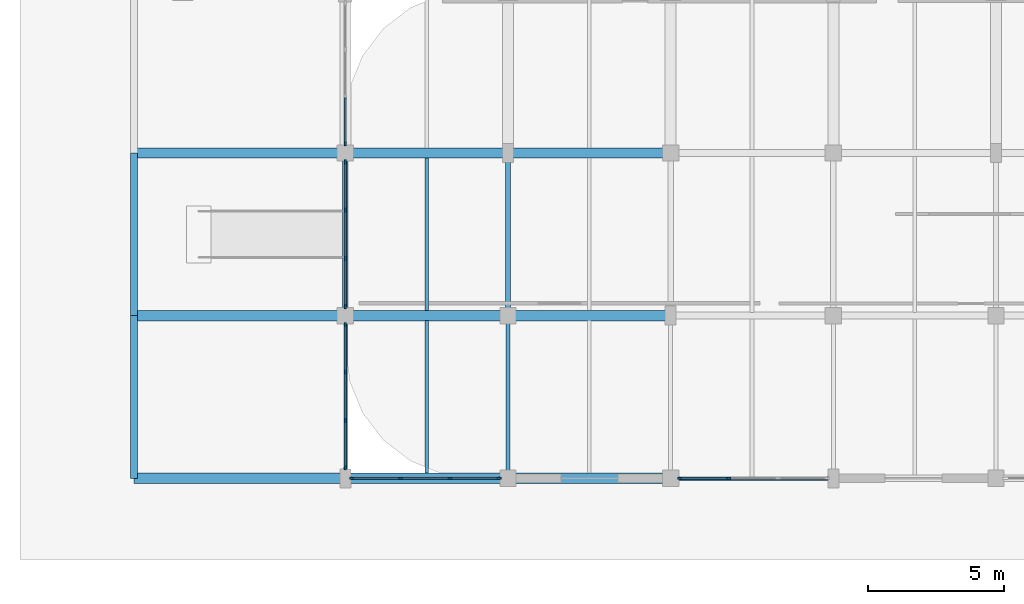
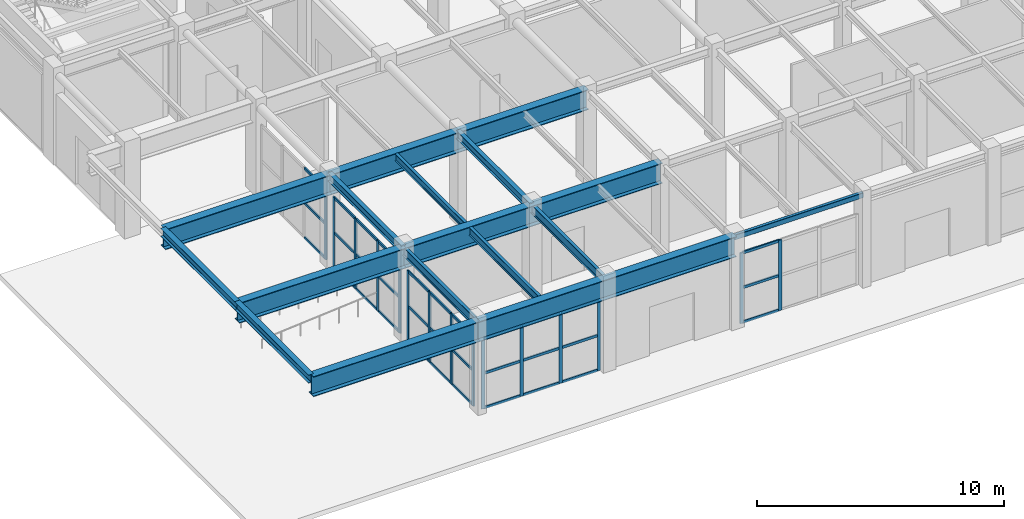
# One storey, part 3 of 76: 48 members, 15 beams, 5 elements without a shape of their own.
"""IFC4 building model written with IfcOpenShell, lengths in metres."""

from ifc_helpers import new_model, si_unit, direction, frame, origin, origin_2d, place, context, subcontext, project, spatial, rectangle, hollow_rectangle, i_section, extrude, material, material_profile, profile_set, type_object, element, aggregate, save


model = new_model("IFC4")

# Units and contexts
model_context = context("Model", 3, precision=1e-05, world=origin(), true_north=direction((0.0, 1.0)))
body_context = subcontext(model_context, "Body", "Model", "MODEL_VIEW")
ifc_project = project(units=[si_unit("LENGTHUNIT", "METRE"), si_unit("AREAUNIT", "SQUARE_METRE"), si_unit("VOLUMEUNIT", "CUBIC_METRE"), si_unit("PLANEANGLEUNIT", "RADIAN"), si_unit("MASSUNIT", "GRAM", prefix="KILO")], contexts=[model_context])

# Site, building, storey
site_placement = place(None, origin())
site = spatial("IfcSite", under=ifc_project, at=site_placement, CompositionType="ELEMENT")
building_placement = place(site_placement, origin())
building = spatial("IfcBuilding", under=site, at=building_placement, Name="Varnakota Square Police Headquarters", CompositionType="ELEMENT")
storey_placement = place(building_placement, origin())
storey = spatial("IfcBuildingStorey", under=building, at=storey_placement, Name="L00", CompositionType="ELEMENT", Elevation=0.0)

# Beams
ifc_material_1 = material(Name="Steel IS 2062 Grade 350", Category="steel")
ifc_material_profile_1 = material_profile(ifc_material_1, i_section(OverallWidth=0.3798828125, OverallDepth=1.0, WebThickness=0.02001953125, FlangeThickness=0.031982421875, at=origin_2d()), Name="BPG 1000x380")
ifc_profile_set_1 = profile_set([ifc_material_profile_1], Name="Steel IS 2062 Grade 350")
beam_type_1 = type_object("IfcBeamType", Name="BM-BPG1000", PredefinedType="BEAM", material=ifc_profile_set_1)
beam_1_placement = place(storey_placement, frame((4.199951171875, 3.0, 4.0), z_axis=(1.0, 0.0, 0.0), x_axis=(0.0, 1.0, 0.0)))
element("IfcBeam", 1, at=beam_1_placement, inside=storey, type_object=beam_type_1, Name="Cantilever projection girder L00 Y=3", PredefinedType="BEAM", context=body_context, shape_type="SweptSolid", body=[
    extrude(i_section(OverallWidth=0.3798828125, OverallDepth=1.0, WebThickness=0.02001953125, FlangeThickness=0.031982421875, at=origin_2d()), origin(), (0.0, 0.0, 1.0), 7.800048828125),
])
beam_2_placement = place(storey_placement, frame((12.0, 3.0, 4.0), z_axis=(1.0, 0.0, 0.0), x_axis=(0.0, 1.0, 0.0)))
element("IfcBeam", 2, at=beam_2_placement, inside=storey, type_object=beam_type_1, Name="Cantilever back-span girder L00 Y=3", PredefinedType="BEAM", context=body_context, shape_type="SweptSolid", body=[
    extrude(i_section(OverallWidth=0.3798828125, OverallDepth=1.0, WebThickness=0.02001953125, FlangeThickness=0.031982421875, at=origin_2d()), origin(), (0.0, 0.0, 1.0), 12.0),
])
beam_3_placement = place(storey_placement, frame((4.199951171875, 9.0, 4.0), z_axis=(1.0, 0.0, 0.0), x_axis=(0.0, 1.0, 0.0)))
element("IfcBeam", 3, at=beam_3_placement, inside=storey, type_object=beam_type_1, Name="Cantilever projection girder L00 Y=9", PredefinedType="BEAM", context=body_context, shape_type="SweptSolid", body=[
    extrude(i_section(OverallWidth=0.3798828125, OverallDepth=1.0, WebThickness=0.02001953125, FlangeThickness=0.031982421875, at=origin_2d()), origin(), (0.0, 0.0, 1.0), 7.800048828125),
])
beam_4_placement = place(storey_placement, frame((12.0, 9.0, 4.0), z_axis=(1.0, 0.0, 0.0), x_axis=(0.0, 1.0, 0.0)))
element("IfcBeam", 4, at=beam_4_placement, inside=storey, type_object=beam_type_1, Name="Cantilever back-span girder L00 Y=9", PredefinedType="BEAM", context=body_context, shape_type="SweptSolid", body=[
    extrude(i_section(OverallWidth=0.3798828125, OverallDepth=1.0, WebThickness=0.02001953125, FlangeThickness=0.031982421875, at=origin_2d()), origin(), (0.0, 0.0, 1.0), 12.0),
])
beam_5_placement = place(storey_placement, frame((4.199951171875, 15.0, 4.0), z_axis=(1.0, 0.0, 0.0), x_axis=(0.0, 1.0, 0.0)))
element("IfcBeam", 5, at=beam_5_placement, inside=storey, type_object=beam_type_1, Name="Cantilever projection girder L00 Y=15", PredefinedType="BEAM", context=body_context, shape_type="SweptSolid", body=[
    extrude(i_section(OverallWidth=0.3798828125, OverallDepth=1.0, WebThickness=0.02001953125, FlangeThickness=0.031982421875, at=origin_2d()), origin(), (0.0, 0.0, 1.0), 7.800048828125),
])
beam_6_placement = place(storey_placement, frame((12.0, 15.0, 4.0), z_axis=(1.0, 0.0, 0.0), x_axis=(0.0, 1.0, 0.0)))
element("IfcBeam", 6, at=beam_6_placement, inside=storey, type_object=beam_type_1, Name="Cantilever back-span girder L00 Y=15", PredefinedType="BEAM", context=body_context, shape_type="SweptSolid", body=[
    extrude(i_section(OverallWidth=0.3798828125, OverallDepth=1.0, WebThickness=0.02001953125, FlangeThickness=0.031982421875, at=origin_2d()), origin(), (0.0, 0.0, 1.0), 12.0),
])
ifc_material_profile_2 = material_profile(ifc_material_1, hollow_rectangle(XDim=0.14990234375, YDim=0.25, WallThickness=0.010009765625, InnerFilletRadius=0.010009765625, OuterFilletRadius=0.02001953125, at=origin_2d()), Name="RHS 250x150x10")
ifc_profile_set_2 = profile_set([ifc_material_profile_2], Name="Steel IS 2062 Grade 350")
beam_type_2 = type_object("IfcBeamType", Name="BM-CBEAM-RHS250", PredefinedType="BEAM", material=ifc_profile_set_2)
beam_7_placement = place(storey_placement, frame((24.0, 3.0, 4.375), z_axis=(1.0, 0.0, 0.0), x_axis=(0.0, 1.0, 0.0)))
element("IfcBeam", 7, at=beam_7_placement, inside=storey, type_object=beam_type_2, Name="BMG-L00-0693", PredefinedType="BEAM", context=body_context, shape_type="SweptSolid", body=[
    extrude(hollow_rectangle(XDim=0.14990234375, YDim=0.25, WallThickness=0.010009765625, InnerFilletRadius=0.010009765625, OuterFilletRadius=0.02001953125, at=origin_2d()), origin(), (0.0, 0.0, 1.0), 6.0),
])
ifc_material_profile_3 = material_profile(ifc_material_1, i_section(OverallWidth=0.25, OverallDepth=0.39990234375, WebThickness=0.010498046875, FlangeThickness=0.0126953125, FilletRadius=0.013916015625, at=origin_2d()), Name="ISHB 400")
ifc_profile_set_3 = profile_set([ifc_material_profile_3], Name="Steel IS 2062 Grade 350")
beam_type_3 = type_object("IfcBeamType", Name="BM-ISHB400", PredefinedType="BEAM", material=ifc_profile_set_3)
for number, where, z_axis, x_axis, name in (
    (8, (4.199951171875, 3.0, 4.300048828125), (0.0, 1.0, 0.0), (-1.0, 0.0, 0.0), "Cantilever tip edge beam L00"),
    (9, (4.199951171875, 9.0, 4.300048828125), (0.0, 1.0, 0.0), (-1.0, 0.0, 0.0), "Cantilever tip edge beam L00"),
):
    element("IfcBeam", number, at=place(storey_placement, frame(where, z_axis=z_axis, x_axis=x_axis)), inside=storey, type_object=beam_type_3, Name=name, PredefinedType="BEAM", context=body_context, shape_type="SweptSolid", body=[
        extrude(i_section(OverallWidth=0.25, OverallDepth=0.39990234375, WebThickness=0.010498046875, FlangeThickness=0.0126953125, FilletRadius=0.013916015625, at=origin_2d()), origin(), (0.0, 0.0, 1.0), 6.0),
    ])
ifc_material_profile_4 = material_profile(ifc_material_1, i_section(OverallWidth=0.139892578125, OverallDepth=0.35009765625, WebThickness=0.008056640625, FlangeThickness=0.01416015625, FilletRadius=0.013916015625, at=origin_2d()), Name="ISMB 350")
ifc_profile_set_4 = profile_set([ifc_material_profile_4], Name="Steel IS 2062 Grade 350")
beam_type_4 = type_object("IfcBeamType", Name="BM-ISMB350", PredefinedType="JOIST", material=ifc_profile_set_4)
beam_8_placement = place(storey_placement, frame((15.0, 9.18798828125, 4.324951171875), z_axis=(0.0, 1.0, 0.0), x_axis=(-1.0, 0.0, 0.0)))
element("IfcBeam", 10, at=beam_8_placement, inside=storey, type_object=beam_type_4, Name="BMG-L00-1188", PredefinedType="JOIST", context=body_context, shape_type="SweptSolid", body=[
    extrude(i_section(OverallWidth=0.139892578125, OverallDepth=0.35009765625, WebThickness=0.008056640625, FlangeThickness=0.01416015625, FilletRadius=0.013916015625, at=origin_2d()), origin(), (0.0, 0.0, 1.0), 5.6240234375),
])
ifc_material_profile_5 = material_profile(ifc_material_1, i_section(OverallWidth=0.139892578125, OverallDepth=0.39990234375, WebThickness=0.0087890625, FlangeThickness=0.01611328125, FilletRadius=0.013916015625, at=origin_2d()), Name="ISMB 400")
ifc_profile_set_5 = profile_set([ifc_material_profile_5], Name="Steel IS 2062 Grade 350")
beam_type_5 = type_object("IfcBeamType", Name="BM-ISMB400", PredefinedType="JOIST", material=ifc_profile_set_5)
beam_9_placement = place(storey_placement, frame((15.0, 3.18798828125, 4.300048828125), z_axis=(0.0, 1.0, 0.0), x_axis=(-1.0, 0.0, 0.0)))
element("IfcBeam", 11, at=beam_9_placement, inside=storey, type_object=beam_type_5, Name="BMG-L00-1187", PredefinedType="JOIST", context=body_context, shape_type="SweptSolid", body=[
    extrude(i_section(OverallWidth=0.139892578125, OverallDepth=0.39990234375, WebThickness=0.0087890625, FlangeThickness=0.01611328125, FilletRadius=0.013916015625, at=origin_2d()), origin(), (0.0, 0.0, 1.0), 5.6240234375),
])
ifc_material_profile_6 = material_profile(ifc_material_1, i_section(OverallWidth=0.14990234375, OverallDepth=0.449951171875, WebThickness=0.009521484375, FlangeThickness=0.017333984375, FilletRadius=0.014892578125, at=origin_2d()), Name="ISMB 450")
ifc_profile_set_6 = profile_set([ifc_material_profile_6], Name="Steel IS 2062 Grade 350")
beam_type_6 = type_object("IfcBeamType", Name="BM-ISMB450", PredefinedType="BEAM", material=ifc_profile_set_6)
for number, where, z_axis, x_axis, name in (
    (12, (12.0, 3.0, 4.27490234375), (0.0, 1.0, 0.0), (-1.0, 0.0, 0.0), "BMG-L00-0948"),
    (13, (18.0, 3.0, 4.27490234375), (0.0, 1.0, 0.0), (-1.0, 0.0, 0.0), "BMG-L00-0962"),
):
    element("IfcBeam", number, at=place(storey_placement, frame(where, z_axis=z_axis, x_axis=x_axis)), inside=storey, type_object=beam_type_6, Name=name, PredefinedType="BEAM", context=body_context, shape_type="SweptSolid", body=[
        extrude(i_section(OverallWidth=0.14990234375, OverallDepth=0.449951171875, WebThickness=0.009521484375, FlangeThickness=0.017333984375, FilletRadius=0.014892578125, at=origin_2d()), origin(), (0.0, 0.0, 1.0), 6.0),
    ])
ifc_material_profile_7 = material_profile(ifc_material_1, i_section(OverallWidth=0.199951171875, OverallDepth=0.39990234375, WebThickness=0.008544921875, FlangeThickness=0.012939453125, FilletRadius=0.012939453125, at=origin_2d()), Name="ISWB 400")
ifc_profile_set_7 = profile_set([ifc_material_profile_7], Name="Steel IS 2062 Grade 350")
beam_type_7 = type_object("IfcBeamType", Name="BM-ISWB400", PredefinedType="BEAM", material=ifc_profile_set_7)
for number, where, z_axis, x_axis, name in (
    (14, (12.0, 9.0, 4.300048828125), (0.0, 1.0, 0.0), (-1.0, 0.0, 0.0), "BMG-L00-0949"),
    (15, (18.0, 9.0, 4.300048828125), (0.0, 1.0, 0.0), (-1.0, 0.0, 0.0), "BMG-L00-0963"),
):
    element("IfcBeam", number, at=place(storey_placement, frame(where, z_axis=z_axis, x_axis=x_axis)), inside=storey, type_object=beam_type_7, Name=name, PredefinedType="BEAM", context=body_context, shape_type="SweptSolid", body=[
        extrude(i_section(OverallWidth=0.199951171875, OverallDepth=0.39990234375, WebThickness=0.008544921875, FlangeThickness=0.012939453125, FilletRadius=0.012939453125, at=origin_2d()), origin(), (0.0, 0.0, 1.0), 6.0),
    ])

# Curtain wall, members
ifc_material_2 = material(Name="Anodised Aluminium Framing", Category="aluminium")
curtain_wall_type = type_object("IfcCurtainWallType", Name="CW-SYS-A", PredefinedType="NOTDEFINED", material=ifc_material_2)
curtain_wall_1_placement = place(storey_placement, origin())
curtain_wall_1 = element("IfcCurtainWall", 16, at=curtain_wall_1_placement, inside=storey, type_object=curtain_wall_type, Name="Unitised curtain wall CWG-L00-035", PredefinedType="NOTDEFINED")
ifc_material_3 = material(Name="Anodised Aluminium 6063-T6", Category="aluminium")
ifc_material_profile_8 = material_profile(ifc_material_3, rectangle(XDim=0.06494140625, YDim=0.159912109375, at=origin_2d()), Name="ALU MULLION 65x160")
ifc_profile_set_8 = profile_set([ifc_material_profile_8], Name="Anodised Aluminium 6063-T6")
member_type_1 = type_object("IfcMemberType", Name="CWM-150", PredefinedType="MULLION", material=ifc_profile_set_8)
member_1_placement = place(storey_placement, frame((12.237548828125, 3.0, 0.0), z_axis=(0.0, 0.0, 1.0), x_axis=(0.0, 1.0, 0.0)))
member_1 = element("IfcMember", 17, at=member_1_placement, type_object=member_type_1, Name="CWG-L00-035 mullion 1", PredefinedType="MULLION", context=body_context, shape_type="SweptSolid", body=[
    extrude(rectangle(XDim=0.06494140625, YDim=0.159912109375, at=origin_2d()), origin(), (0.0, 0.0, 1.0), 3.489990234375),
])
member_2_placement = place(storey_placement, frame((14.034912109375, 3.0, 0.0), z_axis=(0.0, 0.0, 1.0), x_axis=(0.0, 1.0, 0.0)))
member_2 = element("IfcMember", 18, at=member_2_placement, type_object=member_type_1, Name="CWG-L00-035 mullion 2", PredefinedType="MULLION", context=body_context, shape_type="SweptSolid", body=[
    extrude(rectangle(XDim=0.06494140625, YDim=0.159912109375, at=origin_2d()), origin(), (0.0, 0.0, 1.0), 3.489990234375),
])
member_3_placement = place(storey_placement, frame((15.864990234375, 3.0, 0.0), z_axis=(0.0, 0.0, 1.0), x_axis=(0.0, 1.0, 0.0)))
member_3 = element("IfcMember", 19, at=member_3_placement, type_object=member_type_1, Name="CWG-L00-035 mullion 3", PredefinedType="MULLION", context=body_context, shape_type="SweptSolid", body=[
    extrude(rectangle(XDim=0.06494140625, YDim=0.159912109375, at=origin_2d()), origin(), (0.0, 0.0, 1.0), 3.489990234375),
])
member_4_placement = place(storey_placement, frame((17.66259765625, 3.0, 0.0), z_axis=(0.0, 0.0, 1.0), x_axis=(0.0, 1.0, 0.0)))
member_4 = element("IfcMember", 20, at=member_4_placement, type_object=member_type_1, Name="CWG-L00-035 mullion 4", PredefinedType="MULLION", context=body_context, shape_type="SweptSolid", body=[
    extrude(rectangle(XDim=0.06494140625, YDim=0.159912109375, at=origin_2d()), origin(), (0.0, 0.0, 1.0), 3.489990234375),
])

curtain_wall_2_placement = place(storey_placement, origin())
curtain_wall_2 = element("IfcCurtainWall", 21, at=curtain_wall_2_placement, inside=storey, type_object=curtain_wall_type, Name="Unitised curtain wall CWG-L00-036", PredefinedType="NOTDEFINED")
member_5_placement = place(storey_placement, frame((24.33740234375, 3.0, 0.0), z_axis=(0.0, 0.0, 1.0), x_axis=(0.0, 1.0, 0.0)))
member_5 = element("IfcMember", 22, at=member_5_placement, type_object=member_type_1, Name="CWG-L00-036 mullion 1", PredefinedType="MULLION", context=body_context, shape_type="SweptSolid", body=[
    extrude(rectangle(XDim=0.06494140625, YDim=0.159912109375, at=origin_2d()), origin(), (0.0, 0.0, 1.0), 3.489990234375),
])
member_6_placement = place(storey_placement, frame((26.135009765625, 3.0, 0.0), z_axis=(0.0, 0.0, 1.0), x_axis=(0.0, 1.0, 0.0)))
member_6 = element("IfcMember", 23, at=member_6_placement, type_object=member_type_1, Name="CWG-L00-036 mullion 2", PredefinedType="MULLION", context=body_context, shape_type="SweptSolid", body=[
    extrude(rectangle(XDim=0.06494140625, YDim=0.159912109375, at=origin_2d()), origin(), (0.0, 0.0, 1.0), 3.489990234375),
])

curtain_wall_3_placement = place(storey_placement, origin())
curtain_wall_3 = element("IfcCurtainWall", 24, at=curtain_wall_3_placement, inside=storey, type_object=curtain_wall_type, Name="Unitised curtain wall CWG-L00-039", PredefinedType="NOTDEFINED")
member_7_placement = place(storey_placement, frame((12.0, 3.387451171875, 0.0), z_axis=(0.0, 0.0, 1.0), x_axis=(-1.0, 0.0, 0.0)))
member_7 = element("IfcMember", 25, at=member_7_placement, type_object=member_type_1, Name="CWG-L00-039 mullion 1", PredefinedType="MULLION", context=body_context, shape_type="SweptSolid", body=[
    extrude(rectangle(XDim=0.06494140625, YDim=0.159912109375, at=origin_2d()), origin(), (0.0, 0.0, 1.0), 3.489990234375),
])
member_8_placement = place(storey_placement, frame((12.0, 5.135009765625, 0.0), z_axis=(0.0, 0.0, 1.0), x_axis=(-1.0, 0.0, 0.0)))
member_8 = element("IfcMember", 26, at=member_8_placement, type_object=member_type_1, Name="CWG-L00-039 mullion 2", PredefinedType="MULLION", context=body_context, shape_type="SweptSolid", body=[
    extrude(rectangle(XDim=0.06494140625, YDim=0.159912109375, at=origin_2d()), origin(), (0.0, 0.0, 1.0), 3.489990234375),
])
member_9_placement = place(storey_placement, frame((12.0, 6.9150390625, 0.0), z_axis=(0.0, 0.0, 1.0), x_axis=(-1.0, 0.0, 0.0)))
member_9 = element("IfcMember", 27, at=member_9_placement, type_object=member_type_1, Name="CWG-L00-039 mullion 3", PredefinedType="MULLION", context=body_context, shape_type="SweptSolid", body=[
    extrude(rectangle(XDim=0.06494140625, YDim=0.159912109375, at=origin_2d()), origin(), (0.0, 0.0, 1.0), 3.489990234375),
])
member_10_placement = place(storey_placement, frame((12.0, 8.66259765625, 0.0), z_axis=(0.0, 0.0, 1.0), x_axis=(-1.0, 0.0, 0.0)))
member_10 = element("IfcMember", 28, at=member_10_placement, type_object=member_type_1, Name="CWG-L00-039 mullion 4", PredefinedType="MULLION", context=body_context, shape_type="SweptSolid", body=[
    extrude(rectangle(XDim=0.06494140625, YDim=0.159912109375, at=origin_2d()), origin(), (0.0, 0.0, 1.0), 3.489990234375),
])

curtain_wall_4_placement = place(storey_placement, origin())
curtain_wall_4 = element("IfcCurtainWall", 29, at=curtain_wall_4_placement, inside=storey, type_object=curtain_wall_type, Name="Unitised curtain wall CWG-L00-040", PredefinedType="NOTDEFINED")
member_11_placement = place(storey_placement, frame((12.0, 9.33740234375, 0.0), z_axis=(0.0, 0.0, 1.0), x_axis=(-1.0, 0.0, 0.0)))
member_11 = element("IfcMember", 30, at=member_11_placement, type_object=member_type_1, Name="CWG-L00-040 mullion 1", PredefinedType="MULLION", context=body_context, shape_type="SweptSolid", body=[
    extrude(rectangle(XDim=0.06494140625, YDim=0.159912109375, at=origin_2d()), origin(), (0.0, 0.0, 1.0), 3.489990234375),
])
member_12_placement = place(storey_placement, frame((12.0, 11.1015625, 0.0), z_axis=(0.0, 0.0, 1.0), x_axis=(-1.0, 0.0, 0.0)))
member_12 = element("IfcMember", 31, at=member_12_placement, type_object=member_type_1, Name="CWG-L00-040 mullion 2", PredefinedType="MULLION", context=body_context, shape_type="SweptSolid", body=[
    extrude(rectangle(XDim=0.06494140625, YDim=0.159912109375, at=origin_2d()), origin(), (0.0, 0.0, 1.0), 3.489990234375),
])
member_13_placement = place(storey_placement, frame((12.0, 12.8984375, 0.0), z_axis=(0.0, 0.0, 1.0), x_axis=(-1.0, 0.0, 0.0)))
member_13 = element("IfcMember", 32, at=member_13_placement, type_object=member_type_1, Name="CWG-L00-040 mullion 3", PredefinedType="MULLION", context=body_context, shape_type="SweptSolid", body=[
    extrude(rectangle(XDim=0.06494140625, YDim=0.159912109375, at=origin_2d()), origin(), (0.0, 0.0, 1.0), 3.489990234375),
])
member_14_placement = place(storey_placement, frame((12.0, 14.66259765625, 0.0), z_axis=(0.0, 0.0, 1.0), x_axis=(-1.0, 0.0, 0.0)))
member_14 = element("IfcMember", 33, at=member_14_placement, type_object=member_type_1, Name="CWG-L00-040 mullion 4", PredefinedType="MULLION", context=body_context, shape_type="SweptSolid", body=[
    extrude(rectangle(XDim=0.06494140625, YDim=0.159912109375, at=origin_2d()), origin(), (0.0, 0.0, 1.0), 3.489990234375),
])

# Curtain wall, member
curtain_wall_5_placement = place(storey_placement, origin())
curtain_wall_5 = element("IfcCurtainWall", 34, at=curtain_wall_5_placement, inside=storey, type_object=curtain_wall_type, Name="Unitised curtain wall CWG-L00-041", PredefinedType="NOTDEFINED")
member_15_placement = place(storey_placement, frame((12.0, 15.33740234375, 0.0), z_axis=(0.0, 0.0, 1.0), x_axis=(-1.0, 0.0, 0.0)))
member_15 = element("IfcMember", 35, at=member_15_placement, type_object=member_type_1, Name="CWG-L00-041 mullion 1", PredefinedType="MULLION", context=body_context, shape_type="SweptSolid", body=[
    extrude(rectangle(XDim=0.06494140625, YDim=0.159912109375, at=origin_2d()), origin(), (0.0, 0.0, 1.0), 3.489990234375),
])

# Member
ifc_material_profile_9 = material_profile(ifc_material_3, rectangle(XDim=0.06494140625, YDim=0.1298828125, at=origin_2d()), Name="ALU TRANSOM 65x130")
ifc_profile_set_9 = profile_set([ifc_material_profile_9], Name="Anodised Aluminium 6063-T6")
member_type_2 = type_object("IfcMemberType", Name="CWT-120", PredefinedType="USERDEFINED", material=ifc_profile_set_9)
member_16_placement = place(storey_placement, frame((12.27001953125, 3.0, 0.032470703125), z_axis=(1.0, 0.0, 0.0), x_axis=(0.0, 1.0, 0.0)))
member_16 = element("IfcMember", 36, at=member_16_placement, type_object=member_type_2, Name="CWG-L00-035 transom 1.1", ObjectType="TRANSOM", PredefinedType="USERDEFINED", context=body_context, shape_type="SweptSolid", body=[
    extrude(rectangle(XDim=0.06494140625, YDim=0.1298828125, at=origin_2d()), origin(), (0.0, 0.0, 1.0), 1.732421875),
])

member_17_placement = place(storey_placement, frame((12.27001953125, 3.0, 1.7451171875), z_axis=(1.0, 0.0, 0.0), x_axis=(0.0, 1.0, 0.0)))
member_17 = element("IfcMember", 37, at=member_17_placement, type_object=member_type_2, Name="CWG-L00-035 transom 1.2", ObjectType="TRANSOM", PredefinedType="USERDEFINED", context=body_context, shape_type="SweptSolid", body=[
    extrude(rectangle(XDim=0.06494140625, YDim=0.1298828125, at=origin_2d()), origin(), (0.0, 0.0, 1.0), 1.732421875),
])

member_18_placement = place(storey_placement, frame((12.27001953125, 3.0, 3.45751953125), z_axis=(1.0, 0.0, 0.0), x_axis=(0.0, 1.0, 0.0)))
member_18 = element("IfcMember", 38, at=member_18_placement, type_object=member_type_2, Name="CWG-L00-035 transom 1.3", ObjectType="TRANSOM", PredefinedType="USERDEFINED", context=body_context, shape_type="SweptSolid", body=[
    extrude(rectangle(XDim=0.06494140625, YDim=0.1298828125, at=origin_2d()), origin(), (0.0, 0.0, 1.0), 1.732421875),
])

member_19_placement = place(storey_placement, frame((14.0673828125, 3.0, 0.032470703125), z_axis=(1.0, 0.0, 0.0), x_axis=(0.0, 1.0, 0.0)))
member_19 = element("IfcMember", 39, at=member_19_placement, type_object=member_type_2, Name="CWG-L00-035 transom 2.1", ObjectType="TRANSOM", PredefinedType="USERDEFINED", context=body_context, shape_type="SweptSolid", body=[
    extrude(rectangle(XDim=0.06494140625, YDim=0.1298828125, at=origin_2d()), origin(), (0.0, 0.0, 1.0), 1.76513671875),
])

member_20_placement = place(storey_placement, frame((14.0673828125, 3.0, 1.7451171875), z_axis=(1.0, 0.0, 0.0), x_axis=(0.0, 1.0, 0.0)))
member_20 = element("IfcMember", 40, at=member_20_placement, type_object=member_type_2, Name="CWG-L00-035 transom 2.2", ObjectType="TRANSOM", PredefinedType="USERDEFINED", context=body_context, shape_type="SweptSolid", body=[
    extrude(rectangle(XDim=0.06494140625, YDim=0.1298828125, at=origin_2d()), origin(), (0.0, 0.0, 1.0), 1.76513671875),
])

member_21_placement = place(storey_placement, frame((14.0673828125, 3.0, 3.45751953125), z_axis=(1.0, 0.0, 0.0), x_axis=(0.0, 1.0, 0.0)))
member_21 = element("IfcMember", 41, at=member_21_placement, type_object=member_type_2, Name="CWG-L00-035 transom 2.3", ObjectType="TRANSOM", PredefinedType="USERDEFINED", context=body_context, shape_type="SweptSolid", body=[
    extrude(rectangle(XDim=0.06494140625, YDim=0.1298828125, at=origin_2d()), origin(), (0.0, 0.0, 1.0), 1.76513671875),
])

member_22_placement = place(storey_placement, frame((15.8974609375, 3.0, 0.032470703125), z_axis=(1.0, 0.0, 0.0), x_axis=(0.0, 1.0, 0.0)))
member_22 = element("IfcMember", 42, at=member_22_placement, type_object=member_type_2, Name="CWG-L00-035 transom 3.1", ObjectType="TRANSOM", PredefinedType="USERDEFINED", context=body_context, shape_type="SweptSolid", body=[
    extrude(rectangle(XDim=0.06494140625, YDim=0.1298828125, at=origin_2d()), origin(), (0.0, 0.0, 1.0), 1.732421875),
])

member_23_placement = place(storey_placement, frame((15.8974609375, 3.0, 1.7451171875), z_axis=(1.0, 0.0, 0.0), x_axis=(0.0, 1.0, 0.0)))
member_23 = element("IfcMember", 43, at=member_23_placement, type_object=member_type_2, Name="CWG-L00-035 transom 3.2", ObjectType="TRANSOM", PredefinedType="USERDEFINED", context=body_context, shape_type="SweptSolid", body=[
    extrude(rectangle(XDim=0.06494140625, YDim=0.1298828125, at=origin_2d()), origin(), (0.0, 0.0, 1.0), 1.732421875),
])

member_24_placement = place(storey_placement, frame((15.8974609375, 3.0, 3.45751953125), z_axis=(1.0, 0.0, 0.0), x_axis=(0.0, 1.0, 0.0)))
member_24 = element("IfcMember", 44, at=member_24_placement, type_object=member_type_2, Name="CWG-L00-035 transom 3.3", ObjectType="TRANSOM", PredefinedType="USERDEFINED", context=body_context, shape_type="SweptSolid", body=[
    extrude(rectangle(XDim=0.06494140625, YDim=0.1298828125, at=origin_2d()), origin(), (0.0, 0.0, 1.0), 1.732421875),
])

aggregate(curtain_wall_1, [member_1, member_2, member_3, member_4, member_16, member_17, member_18, member_19, member_20, member_21, member_22, member_23, member_24])

member_25_placement = place(storey_placement, frame((24.3701171875, 3.0, 0.032470703125), z_axis=(1.0, 0.0, 0.0), x_axis=(0.0, 1.0, 0.0)))
member_25 = element("IfcMember", 45, at=member_25_placement, type_object=member_type_2, Name="CWG-L00-036 transom 1.1", ObjectType="TRANSOM", PredefinedType="USERDEFINED", context=body_context, shape_type="SweptSolid", body=[
    extrude(rectangle(XDim=0.06494140625, YDim=0.1298828125, at=origin_2d()), origin(), (0.0, 0.0, 1.0), 1.732421875),
])

member_26_placement = place(storey_placement, frame((24.3701171875, 3.0, 1.7451171875), z_axis=(1.0, 0.0, 0.0), x_axis=(0.0, 1.0, 0.0)))
member_26 = element("IfcMember", 46, at=member_26_placement, type_object=member_type_2, Name="CWG-L00-036 transom 1.2", ObjectType="TRANSOM", PredefinedType="USERDEFINED", context=body_context, shape_type="SweptSolid", body=[
    extrude(rectangle(XDim=0.06494140625, YDim=0.1298828125, at=origin_2d()), origin(), (0.0, 0.0, 1.0), 1.732421875),
])

member_27_placement = place(storey_placement, frame((24.3701171875, 3.0, 3.45751953125), z_axis=(1.0, 0.0, 0.0), x_axis=(0.0, 1.0, 0.0)))
member_27 = element("IfcMember", 47, at=member_27_placement, type_object=member_type_2, Name="CWG-L00-036 transom 1.3", ObjectType="TRANSOM", PredefinedType="USERDEFINED", context=body_context, shape_type="SweptSolid", body=[
    extrude(rectangle(XDim=0.06494140625, YDim=0.1298828125, at=origin_2d()), origin(), (0.0, 0.0, 1.0), 1.732421875),
])

aggregate(curtain_wall_2, [member_5, member_6, member_25, member_26, member_27])

member_28_placement = place(storey_placement, frame((12.0, 3.419921875, 0.032470703125), z_axis=(0.0, 1.0, 0.0), x_axis=(-1.0, 0.0, 0.0)))
member_28 = element("IfcMember", 48, at=member_28_placement, type_object=member_type_2, Name="CWG-L00-039 transom 1.1", ObjectType="TRANSOM", PredefinedType="USERDEFINED", context=body_context, shape_type="SweptSolid", body=[
    extrude(rectangle(XDim=0.06494140625, YDim=0.1298828125, at=origin_2d()), origin(), (0.0, 0.0, 1.0), 1.6826171875),
])

member_29_placement = place(storey_placement, frame((12.0, 3.419921875, 1.7451171875), z_axis=(0.0, 1.0, 0.0), x_axis=(-1.0, 0.0, 0.0)))
member_29 = element("IfcMember", 49, at=member_29_placement, type_object=member_type_2, Name="CWG-L00-039 transom 1.2", ObjectType="TRANSOM", PredefinedType="USERDEFINED", context=body_context, shape_type="SweptSolid", body=[
    extrude(rectangle(XDim=0.06494140625, YDim=0.1298828125, at=origin_2d()), origin(), (0.0, 0.0, 1.0), 1.6826171875),
])

member_30_placement = place(storey_placement, frame((12.0, 3.419921875, 3.45751953125), z_axis=(0.0, 1.0, 0.0), x_axis=(-1.0, 0.0, 0.0)))
member_30 = element("IfcMember", 50, at=member_30_placement, type_object=member_type_2, Name="CWG-L00-039 transom 1.3", ObjectType="TRANSOM", PredefinedType="USERDEFINED", context=body_context, shape_type="SweptSolid", body=[
    extrude(rectangle(XDim=0.06494140625, YDim=0.1298828125, at=origin_2d()), origin(), (0.0, 0.0, 1.0), 1.6826171875),
])

member_31_placement = place(storey_placement, frame((12.0, 5.16748046875, 0.032470703125), z_axis=(0.0, 1.0, 0.0), x_axis=(-1.0, 0.0, 0.0)))
member_31 = element("IfcMember", 51, at=member_31_placement, type_object=member_type_2, Name="CWG-L00-039 transom 2.1", ObjectType="TRANSOM", PredefinedType="USERDEFINED", context=body_context, shape_type="SweptSolid", body=[
    extrude(rectangle(XDim=0.06494140625, YDim=0.1298828125, at=origin_2d()), origin(), (0.0, 0.0, 1.0), 1.715087890625),
])

member_32_placement = place(storey_placement, frame((12.0, 5.16748046875, 1.7451171875), z_axis=(0.0, 1.0, 0.0), x_axis=(-1.0, 0.0, 0.0)))
member_32 = element("IfcMember", 52, at=member_32_placement, type_object=member_type_2, Name="CWG-L00-039 transom 2.2", ObjectType="TRANSOM", PredefinedType="USERDEFINED", context=body_context, shape_type="SweptSolid", body=[
    extrude(rectangle(XDim=0.06494140625, YDim=0.1298828125, at=origin_2d()), origin(), (0.0, 0.0, 1.0), 1.715087890625),
])

member_33_placement = place(storey_placement, frame((12.0, 5.16748046875, 3.45751953125), z_axis=(0.0, 1.0, 0.0), x_axis=(-1.0, 0.0, 0.0)))
member_33 = element("IfcMember", 53, at=member_33_placement, type_object=member_type_2, Name="CWG-L00-039 transom 2.3", ObjectType="TRANSOM", PredefinedType="USERDEFINED", context=body_context, shape_type="SweptSolid", body=[
    extrude(rectangle(XDim=0.06494140625, YDim=0.1298828125, at=origin_2d()), origin(), (0.0, 0.0, 1.0), 1.715087890625),
])

member_34_placement = place(storey_placement, frame((12.0, 6.947509765625, 0.032470703125), z_axis=(0.0, 1.0, 0.0), x_axis=(-1.0, 0.0, 0.0)))
member_34 = element("IfcMember", 54, at=member_34_placement, type_object=member_type_2, Name="CWG-L00-039 transom 3.1", ObjectType="TRANSOM", PredefinedType="USERDEFINED", context=body_context, shape_type="SweptSolid", body=[
    extrude(rectangle(XDim=0.06494140625, YDim=0.1298828125, at=origin_2d()), origin(), (0.0, 0.0, 1.0), 1.682373046875),
])

member_35_placement = place(storey_placement, frame((12.0, 6.947509765625, 1.7451171875), z_axis=(0.0, 1.0, 0.0), x_axis=(-1.0, 0.0, 0.0)))
member_35 = element("IfcMember", 55, at=member_35_placement, type_object=member_type_2, Name="CWG-L00-039 transom 3.2", ObjectType="TRANSOM", PredefinedType="USERDEFINED", context=body_context, shape_type="SweptSolid", body=[
    extrude(rectangle(XDim=0.06494140625, YDim=0.1298828125, at=origin_2d()), origin(), (0.0, 0.0, 1.0), 1.682373046875),
])

member_36_placement = place(storey_placement, frame((12.0, 6.947509765625, 3.45751953125), z_axis=(0.0, 1.0, 0.0), x_axis=(-1.0, 0.0, 0.0)))
member_36 = element("IfcMember", 56, at=member_36_placement, type_object=member_type_2, Name="CWG-L00-039 transom 3.3", ObjectType="TRANSOM", PredefinedType="USERDEFINED", context=body_context, shape_type="SweptSolid", body=[
    extrude(rectangle(XDim=0.06494140625, YDim=0.1298828125, at=origin_2d()), origin(), (0.0, 0.0, 1.0), 1.682373046875),
])

aggregate(curtain_wall_3, [member_7, member_8, member_9, member_10, member_28, member_29, member_30, member_31, member_32, member_33, member_34, member_35, member_36])

member_37_placement = place(storey_placement, frame((12.0, 9.3701171875, 0.032470703125), z_axis=(0.0, 1.0, 0.0), x_axis=(-1.0, 0.0, 0.0)))
member_37 = element("IfcMember", 57, at=member_37_placement, type_object=member_type_2, Name="CWG-L00-040 transom 1.1", ObjectType="TRANSOM", PredefinedType="USERDEFINED", context=body_context, shape_type="SweptSolid", body=[
    extrude(rectangle(XDim=0.06494140625, YDim=0.1298828125, at=origin_2d()), origin(), (0.0, 0.0, 1.0), 1.698974609375),
])

member_38_placement = place(storey_placement, frame((12.0, 9.3701171875, 1.7451171875), z_axis=(0.0, 1.0, 0.0), x_axis=(-1.0, 0.0, 0.0)))
member_38 = element("IfcMember", 58, at=member_38_placement, type_object=member_type_2, Name="CWG-L00-040 transom 1.2", ObjectType="TRANSOM", PredefinedType="USERDEFINED", context=body_context, shape_type="SweptSolid", body=[
    extrude(rectangle(XDim=0.06494140625, YDim=0.1298828125, at=origin_2d()), origin(), (0.0, 0.0, 1.0), 1.698974609375),
])

member_39_placement = place(storey_placement, frame((12.0, 9.3701171875, 3.45751953125), z_axis=(0.0, 1.0, 0.0), x_axis=(-1.0, 0.0, 0.0)))
member_39 = element("IfcMember", 59, at=member_39_placement, type_object=member_type_2, Name="CWG-L00-040 transom 1.3", ObjectType="TRANSOM", PredefinedType="USERDEFINED", context=body_context, shape_type="SweptSolid", body=[
    extrude(rectangle(XDim=0.06494140625, YDim=0.1298828125, at=origin_2d()), origin(), (0.0, 0.0, 1.0), 1.698974609375),
])

member_40_placement = place(storey_placement, frame((12.0, 11.13427734375, 0.032470703125), z_axis=(0.0, 1.0, 0.0), x_axis=(-1.0, 0.0, 0.0)))
member_40 = element("IfcMember", 60, at=member_40_placement, type_object=member_type_2, Name="CWG-L00-040 transom 2.1", ObjectType="TRANSOM", PredefinedType="USERDEFINED", context=body_context, shape_type="SweptSolid", body=[
    extrude(rectangle(XDim=0.06494140625, YDim=0.1298828125, at=origin_2d()), origin(), (0.0, 0.0, 1.0), 1.7314453125),
])

member_41_placement = place(storey_placement, frame((12.0, 11.13427734375, 1.7451171875), z_axis=(0.0, 1.0, 0.0), x_axis=(-1.0, 0.0, 0.0)))
member_41 = element("IfcMember", 61, at=member_41_placement, type_object=member_type_2, Name="CWG-L00-040 transom 2.2", ObjectType="TRANSOM", PredefinedType="USERDEFINED", context=body_context, shape_type="SweptSolid", body=[
    extrude(rectangle(XDim=0.06494140625, YDim=0.1298828125, at=origin_2d()), origin(), (0.0, 0.0, 1.0), 1.7314453125),
])

member_42_placement = place(storey_placement, frame((12.0, 11.13427734375, 3.45751953125), z_axis=(0.0, 1.0, 0.0), x_axis=(-1.0, 0.0, 0.0)))
member_42 = element("IfcMember", 62, at=member_42_placement, type_object=member_type_2, Name="CWG-L00-040 transom 2.3", ObjectType="TRANSOM", PredefinedType="USERDEFINED", context=body_context, shape_type="SweptSolid", body=[
    extrude(rectangle(XDim=0.06494140625, YDim=0.1298828125, at=origin_2d()), origin(), (0.0, 0.0, 1.0), 1.7314453125),
])

member_43_placement = place(storey_placement, frame((12.0, 12.930908203125, 0.032470703125), z_axis=(0.0, 1.0, 0.0), x_axis=(-1.0, 0.0, 0.0)))
member_43 = element("IfcMember", 63, at=member_43_placement, type_object=member_type_2, Name="CWG-L00-040 transom 3.1", ObjectType="TRANSOM", PredefinedType="USERDEFINED", context=body_context, shape_type="SweptSolid", body=[
    extrude(rectangle(XDim=0.06494140625, YDim=0.1298828125, at=origin_2d()), origin(), (0.0, 0.0, 1.0), 1.698974609375),
])

member_44_placement = place(storey_placement, frame((12.0, 12.930908203125, 1.7451171875), z_axis=(0.0, 1.0, 0.0), x_axis=(-1.0, 0.0, 0.0)))
member_44 = element("IfcMember", 64, at=member_44_placement, type_object=member_type_2, Name="CWG-L00-040 transom 3.2", ObjectType="TRANSOM", PredefinedType="USERDEFINED", context=body_context, shape_type="SweptSolid", body=[
    extrude(rectangle(XDim=0.06494140625, YDim=0.1298828125, at=origin_2d()), origin(), (0.0, 0.0, 1.0), 1.698974609375),
])

member_45_placement = place(storey_placement, frame((12.0, 12.930908203125, 3.45751953125), z_axis=(0.0, 1.0, 0.0), x_axis=(-1.0, 0.0, 0.0)))
member_45 = element("IfcMember", 65, at=member_45_placement, type_object=member_type_2, Name="CWG-L00-040 transom 3.3", ObjectType="TRANSOM", PredefinedType="USERDEFINED", context=body_context, shape_type="SweptSolid", body=[
    extrude(rectangle(XDim=0.06494140625, YDim=0.1298828125, at=origin_2d()), origin(), (0.0, 0.0, 1.0), 1.698974609375),
])

aggregate(curtain_wall_4, [member_11, member_12, member_13, member_14, member_37, member_38, member_39, member_40, member_41, member_42, member_43, member_44, member_45])

member_46_placement = place(storey_placement, frame((12.0, 15.3701171875, 0.032470703125), z_axis=(0.0, 1.0, 0.0), x_axis=(-1.0, 0.0, 0.0)))
member_46 = element("IfcMember", 66, at=member_46_placement, type_object=member_type_2, Name="CWG-L00-041 transom 1.1", ObjectType="TRANSOM", PredefinedType="USERDEFINED", context=body_context, shape_type="SweptSolid", body=[
    extrude(rectangle(XDim=0.06494140625, YDim=0.1298828125, at=origin_2d()), origin(), (0.0, 0.0, 1.0), 1.657470703125),
])

member_47_placement = place(storey_placement, frame((12.0, 15.3701171875, 1.7451171875), z_axis=(0.0, 1.0, 0.0), x_axis=(-1.0, 0.0, 0.0)))
member_47 = element("IfcMember", 67, at=member_47_placement, type_object=member_type_2, Name="CWG-L00-041 transom 1.2", ObjectType="TRANSOM", PredefinedType="USERDEFINED", context=body_context, shape_type="SweptSolid", body=[
    extrude(rectangle(XDim=0.06494140625, YDim=0.1298828125, at=origin_2d()), origin(), (0.0, 0.0, 1.0), 1.657470703125),
])

member_48_placement = place(storey_placement, frame((12.0, 15.3701171875, 3.45751953125), z_axis=(0.0, 1.0, 0.0), x_axis=(-1.0, 0.0, 0.0)))
member_48 = element("IfcMember", 68, at=member_48_placement, type_object=member_type_2, Name="CWG-L00-041 transom 1.3", ObjectType="TRANSOM", PredefinedType="USERDEFINED", context=body_context, shape_type="SweptSolid", body=[
    extrude(rectangle(XDim=0.06494140625, YDim=0.1298828125, at=origin_2d()), origin(), (0.0, 0.0, 1.0), 1.657470703125),
])

aggregate(curtain_wall_5, [member_15, member_46, member_47, member_48])

save(model, "model.ifc")
